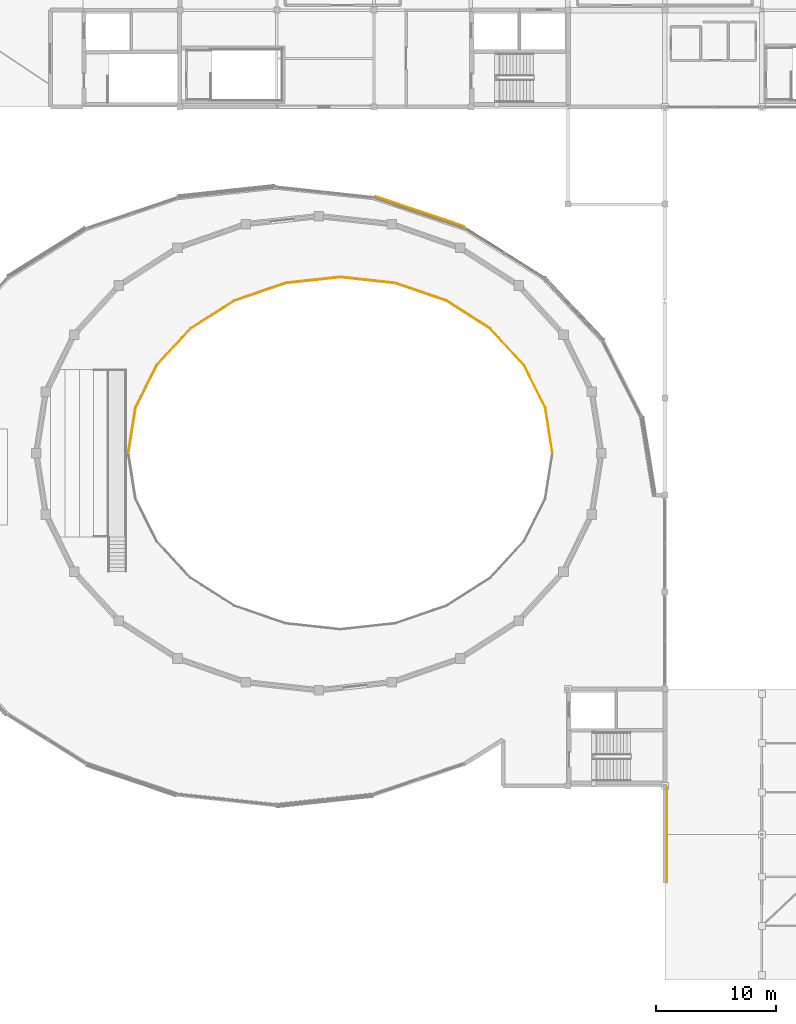
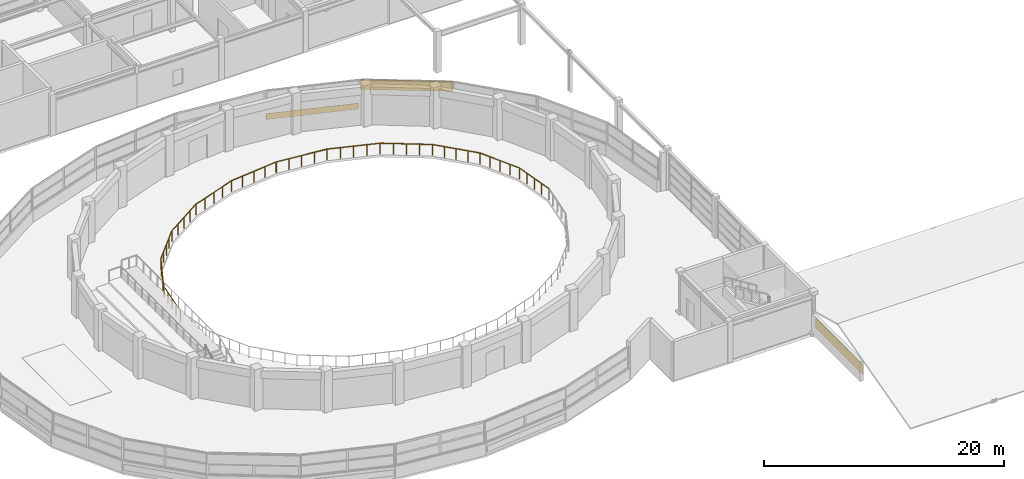
# One storey, part 48 of 54: 2 coverings, 1 railing, 1 shading device.
"""IFC4 building model written with IfcOpenShell, lengths in metres."""

import ifcopenshell
import ifcopenshell.guid

model = None  # the IFC model being written
_history = None  # IfcOwnerHistory: only IFC2X3 demands one
_inside = {}  # id of a spatial element -> (the spatial element, [elements in it])
_under = {}  # id of a project, library or spatial element -> (it, [spatial elements below it])
_declared = {}  # id of a project -> (the project, [libraries it declares])
_typed = {}  # id of a type object -> (the type object, [elements of that type])
_made_of = {}  # id of a material, layer set ... -> (it, [elements and type objects made of it])


def new_model(schema):
    """Start an empty IFC model of exactly this schema.

    Asked for "IFC4X3", IfcOpenShell would pick the latest addendum, in which some entities
    have other attributes; the version numbers below select the first issue.
    IFC2X3 requires an IfcOwnerHistory on every rooted entity: one is made here for all.
    """
    global model, _history
    if schema == "IFC4X3":
        model = ifcopenshell.file(schema_version=(4, 3, 0, 0))
    else:
        model = ifcopenshell.file(schema=schema)
    _inside.clear()
    _under.clear()
    _declared.clear()
    _typed.clear()
    _made_of.clear()
    _history = None
    if model.schema == "IFC2X3":
        org = make("IfcOrganization", Name="unknown")
        user = make(
            "IfcPersonAndOrganization",
            ThePerson=make("IfcPerson", FamilyName="unknown"),
            TheOrganization=org,
        )
        app = make(
            "IfcApplication",
            ApplicationDeveloper=org,
            Version="unknown",
            ApplicationFullName="unknown",
            ApplicationIdentifier="unknown",
        )
        _history = make(
            "IfcOwnerHistory",
            OwningUser=user,
            OwningApplication=app,
            ChangeAction="ADDED",
            CreationDate=0,
        )
    return model


def make(cls, **values):
    """One entity of the class cls with the attributes given. An attribute that is None is left unset."""
    return model.create_entity(
        cls, **{name: value for name, value in values.items() if value is not None}
    )


def rooted(cls, **values):
    """An entity with a GlobalId (a new one), such as an element, a storey or a relation."""
    return make(cls, GlobalId=ifcopenshell.guid.new(), OwnerHistory=_history, **values)


def si_unit(unit_type, name, prefix=None):
    """IfcSIUnit, for example si_unit("LENGTHUNIT", "METRE", prefix="MILLI")."""
    return make("IfcSIUnit", UnitType=unit_type, Prefix=prefix, Name=name)


def assignment(units):
    """IfcUnitAssignment: the units of a project."""
    return None if units is None else make("IfcUnitAssignment", Units=units)


def point(xyz):
    """IfcCartesianPoint."""
    return None if xyz is None else make("IfcCartesianPoint", Coordinates=xyz)


def direction(xyz):
    """IfcDirection."""
    return None if xyz is None else make("IfcDirection", DirectionRatios=xyz)


def frame(location, z_axis=None, x_axis=None):
    """IfcAxis2Placement3D, a coordinate frame: its origin and axes. An axis left out is left unset."""
    return make(
        "IfcAxis2Placement3D",
        Location=point(location),
        Axis=direction(z_axis),
        RefDirection=direction(x_axis),
    )


def frame_2d(location, x_axis=None):
    """IfcAxis2Placement2D, a coordinate frame in the plane: its origin and x axis."""
    return make(
        "IfcAxis2Placement2D", Location=point(location), RefDirection=direction(x_axis)
    )


def origin():
    """The frame at (0, 0, 0) with its axes left unset."""
    return frame((0.0, 0.0, 0.0))


def origin_2d():
    """The frame at (0, 0) in the plane with its x axis left unset."""
    return frame_2d((0.0, 0.0))


def place(relative_to, where):
    """IfcLocalPlacement: puts the frame where relative to a parent placement (None: the world)."""
    return make(
        "IfcLocalPlacement", PlacementRelTo=relative_to, RelativePlacement=where
    )


def context(
    kind, dimensions, precision=None, world=None, true_north=None, identifier=None
):
    """IfcGeometricRepresentationContext, for example the 3D "Model" context."""
    return make(
        "IfcGeometricRepresentationContext",
        ContextIdentifier=identifier,
        ContextType=kind,
        CoordinateSpaceDimension=dimensions,
        Precision=precision,
        WorldCoordinateSystem=world,
        TrueNorth=true_north,
    )


def subcontext(parent, identifier, kind, view, scale=None):
    """IfcGeometricRepresentationSubContext, for example "Body" below "Model"."""
    return make(
        "IfcGeometricRepresentationSubContext",
        ContextIdentifier=identifier,
        ContextType=kind,
        ParentContext=parent,
        TargetScale=scale,
        TargetView=view,
    )


def project(units=None, contexts=None):
    """IfcProject with its units and contexts."""
    return rooted(
        "IfcProject",
        Name="project",
        RepresentationContexts=contexts,
        UnitsInContext=assignment(units),
    )


def spatial(cls, under=None, at=None, **own):
    """A site, building, storey or space (cls), placed at a placement, below another one or the project."""
    s = rooted(cls, ObjectPlacement=at, **own)
    if under is not None:
        _under.setdefault(under.id(), (under, []))[1].append(s)
    return s


def profile(cls, at=None, kind="AREA", **sizes):
    """A parametric profile (cls). Its sizes go by their IFC names, for example OverallWidth=200.0."""
    return make(cls, ProfileType=kind, Position=at, **sizes)


def rectangle(**sizes):
    """IfcRectangleProfileDef."""
    return profile("IfcRectangleProfileDef", **sizes)


def circle(**sizes):
    """IfcCircleProfileDef."""
    return profile("IfcCircleProfileDef", **sizes)


def extrude(swept, where, along, depth):
    """IfcExtrudedAreaSolid: the profile swept, set in the frame where, extruded along a direction by depth."""
    return make(
        "IfcExtrudedAreaSolid",
        SweptArea=swept,
        Position=where,
        ExtrudedDirection=direction(along),
        Depth=depth,
    )


def shape(context_of_items, identifier, shape_type, items):
    """IfcShapeRepresentation: the items that make up one representation, for example the "Body"."""
    return make(
        "IfcShapeRepresentation",
        ContextOfItems=context_of_items,
        RepresentationIdentifier=identifier,
        RepresentationType=shape_type,
        Items=items,
    )


def material(Name=None, Category=None):
    """IfcMaterial."""
    return make("IfcMaterial", Name=Name, Category=Category)


def layer(
    of_material, thickness, ventilated=None, Name=None, Category=None, Priority=None
):
    """IfcMaterialLayer: one layer of a wall or slab, of a material (None: an air gap)."""
    return make(
        "IfcMaterialLayer",
        Material=of_material,
        LayerThickness=thickness,
        IsVentilated=ventilated,
        Name=Name,
        Category=Category,
        Priority=Priority,
    )


def layer_set(layers, Name=None):
    """IfcMaterialLayerSet."""
    return make("IfcMaterialLayerSet", MaterialLayers=layers, LayerSetName=Name)


def made_of(thing, what):
    """Note that an element or type object is made of a material, layer set ...; save() writes the relation."""
    if what is not None:
        _made_of.setdefault(what.id(), (what, []))[1].append(thing)
    return thing


def type_object(cls, material=None, **own):
    """A type object (cls), such as IfcWallType, which elements share."""
    return made_of(rooted(cls, **own), material)


def element(
    cls,
    number,
    at=None,
    inside=None,
    cuts=None,
    type_object=None,
    material=None,
    context=None,
    identifier="Body",
    shape_type=None,
    held_by="IfcProductDefinitionShape",
    body=None,
    shapes=None,
    **own,
):
    """One element of the class cls, such as IfcWall. Its Tag is "e" and its number.

    at: its placement. inside: the storey or other place that contains it. cuts: it is an
    opening in that element (IfcRelVoidsElement). A single representation is given by context,
    identifier, shape_type and body (its items); several are given by shapes. held_by: the class
    of the entity that holds the representations. save() writes the other relations.
    """
    e = rooted(cls, Tag="e%d" % number, ObjectPlacement=at, **own)
    if body is not None:
        shapes = [shape(context, identifier, shape_type, body)]
    if shapes is not None:
        e.Representation = make(held_by, Representations=shapes)
    if inside is not None:
        _inside.setdefault(inside.id(), (inside, []))[1].append(e)
    if cuts is not None:
        rooted(
            "IfcRelVoidsElement", RelatingBuildingElement=cuts, RelatedOpeningElement=e
        )
    if type_object is not None:
        _typed.setdefault(type_object.id(), (type_object, []))[1].append(e)
    return made_of(e, material)


def aggregate(whole, parts):
    """IfcRelAggregates: a whole, such as a stair, and the parts it consists of."""
    return rooted("IfcRelAggregates", RelatingObject=whole, RelatedObjects=parts)


def save(model, path):
    """Write the relations noted so far, then the file.

    IfcRelAggregates (storeys below a building ...), IfcRelContainedInSpatialStructure (elements
    in a storey), IfcRelDefinesByType, IfcRelAssociatesMaterial and IfcRelDeclares: one each for
    every whole, place, type object, material and project.
    """
    for whole, parts in _under.values():
        aggregate(whole, parts)
    for where, things in _inside.values():
        rooted(
            "IfcRelContainedInSpatialStructure",
            RelatedElements=things,
            RelatingStructure=where,
        )
    for kind, things in _typed.values():
        rooted("IfcRelDefinesByType", RelatedObjects=things, RelatingType=kind)
    for what, things in _made_of.values():
        rooted("IfcRelAssociatesMaterial", RelatedObjects=things, RelatingMaterial=what)
    for by, libraries in _declared.values():
        rooted("IfcRelDeclares", RelatingContext=by, RelatedDefinitions=libraries)
    model.write(path)


model = new_model("IFC4")

# Units and contexts
model_context = context("Model", 3, precision=1e-05, world=origin(), true_north=direction((0.0, 1.0)))
body_context = subcontext(model_context, "Body", "Model", "MODEL_VIEW")
ifc_project = project(units=[si_unit("LENGTHUNIT", "METRE"), si_unit("AREAUNIT", "SQUARE_METRE"), si_unit("VOLUMEUNIT", "CUBIC_METRE"), si_unit("PLANEANGLEUNIT", "RADIAN"), si_unit("MASSUNIT", "GRAM", prefix="KILO")], contexts=[model_context])

# Site, building, storey
site_placement = place(None, origin())
site = spatial("IfcSite", under=ifc_project, at=site_placement, CompositionType="ELEMENT")
building_placement = place(site_placement, origin())
building = spatial("IfcBuilding", under=site, at=building_placement, Name="Parian Resonance Hall", CompositionType="ELEMENT")
storey_placement = place(building_placement, frame((0.0, 0.0, 15.0)))
storey = spatial("IfcBuildingStorey", under=building, at=storey_placement, Name="L03", CompositionType="ELEMENT", Elevation=15.0)

# Coverings
ifc_material_1 = material(Name="Polychrome trencadis ceramic mosaic cladding")
ifc_layer_1 = layer(ifc_material_1, 0.030029296875)
ifc_layer_set_1 = layer_set([ifc_layer_1], Name="Polychrome trencadis ceramic mosaic cladding")
covering_type = type_object("IfcCoveringType", Name="COV-MOSAIC-CLAD", PredefinedType="CLADDING", material=ifc_layer_set_1)
covering_1_placement = place(storey_placement, frame((52.445068359375, 64.197021484375, 0.300048828125), z_axis=(0.0, 0.0, 1.0), x_axis=(0.947295858984, -0.320360040505, 0.0)))
element("IfcCovering", 1, at=covering_1_placement, inside=storey, type_object=covering_type, Name="Polychrome ceramic mosaic frieze L03-063", PredefinedType="CLADDING", context=body_context, shape_type="SweptSolid", body=[
    extrude(rectangle(XDim=7.84521484375, YDim=0.030029296875, at=origin_2d()), origin(), (0.0, 0.0, 1.0), 0.60009765625),
])
covering_2_placement = place(storey_placement, frame((73.083984375, 12.14990234375, 0.512451171875), z_axis=(0.0, 0.0, 1.0), x_axis=(0.0, -1.0, 0.0)))
element("IfcCovering", 2, at=covering_2_placement, inside=storey, type_object=covering_type, Name="Polychrome ceramic mosaic frieze L03-071", PredefinedType="CLADDING", context=body_context, shape_type="SweptSolid", body=[
    extrude(rectangle(XDim=7.89990234375, YDim=0.030029296875, at=origin_2d()), origin(), (0.0, 0.0, 1.0), 1.02490234375),
])

# Railing
ifc_material_2 = material(Name="Patinated bronze whiplash metalwork")
railing_type = type_object("IfcRailingType", Name="RAIL-HALL-BAL-1120", PredefinedType="BALUSTRADE", material=ifc_material_2)
railing_placement = place(storey_placement, frame((63.52001953125, 44.0, 0.0)))
element("IfcRailing", 3, at=railing_placement, inside=storey, type_object=railing_type, Name="Main Concert Hall L03 north-west bronze balustrade", PredefinedType="BALUSTRADE", context=body_context, shape_type="SweptSolid", body=[
    extrude(circle(Radius=0.02392578125, at=origin_2d()), frame((0.0, 0.0, 1.09619140625), z_axis=(-0.156521572439, 0.987674540201, 0.0), x_axis=(-0.987674540201, -0.156521572439, 0.0)), (0.0, 0.0, 1.0), 3.857421875),
    extrude(circle(Radius=0.02392578125, at=origin_2d()), frame((-0.603759765625, 3.809814453125, 1.09619140625), z_axis=(-0.446228679788, 0.894918971379, 0.0), x_axis=(-0.894918971379, -0.446228679788, 0.0)), (0.0, 0.0, 1.0), 3.96728515625),
    extrude(circle(Radius=0.02392578125, at=origin_2d()), frame((-2.3740234375, 7.360107421875, 1.09619140625), z_axis=(-0.678551254892, 0.734553057637, 0.0), x_axis=(-0.734553057637, -0.678551254892, 0.0)), (0.0, 0.0, 1.0), 4.150146484375),
    extrude(circle(Radius=0.02392578125, at=origin_2d()), frame((-5.190185546875, 10.40869140625, 1.09619140625), z_axis=(-0.843275508955, 0.537481549448, 0.0), x_axis=(-0.537481549448, -0.843275508955, 0.0)), (0.0, 0.0, 1.0), 4.35205078125),
    extrude(circle(Radius=0.02392578125, at=origin_2d()), frame((-8.860107421875, 12.747802734375, 1.09619140625), z_axis=(-0.945576009301, 0.325401307057, 0.0), x_axis=(-0.325401307057, -0.945576009301, 0.0)), (0.0, 0.0, 1.0), 4.519775390625),
    extrude(circle(Radius=0.02392578125, at=origin_2d()), frame((-13.1337890625, 14.218505859375, 1.09619140625), z_axis=(-0.994075176592, 0.108694725191, 0.0), x_axis=(-0.108694725191, -0.994075176592, 0.0)), (0.0, 0.0, 1.0), 4.613525390625),
    extrude(circle(Radius=0.02392578125, at=origin_2d()), frame((-17.719970703125, 14.719970703125, 1.09619140625), z_axis=(-0.994075801751, -0.108689007601, 0.0), x_axis=(0.108689007601, -0.994075801751, 0.0)), (0.0, 0.0, 1.0), 4.61376953125),
    extrude(circle(Radius=0.02392578125, at=origin_2d()), frame((-22.306396484375, 14.218505859375, 1.09619140625), z_axis=(-0.945576009301, -0.325401307057, 0.0), x_axis=(0.325401307057, -0.945576009301, 0.0)), (0.0, 0.0, 1.0), 4.519775390625),
    extrude(circle(Radius=0.02392578125, at=origin_2d()), frame((-26.580078125, 12.747802734375, 1.09619140625), z_axis=(-0.843275508955, -0.537481549448, 0.0), x_axis=(0.537481549448, -0.843275508955, 0.0)), (0.0, 0.0, 1.0), 4.35205078125),
    extrude(circle(Radius=0.02392578125, at=origin_2d()), frame((-30.25, 10.40869140625, 1.09619140625), z_axis=(-0.678519512665, -0.734582378589, 0.0), x_axis=(0.734582378589, -0.678519512665, 0.0)), (0.0, 0.0, 1.0), 4.150146484375),
    extrude(circle(Radius=0.02392578125, at=origin_2d()), frame((-33.06591796875, 7.360107421875, 1.09619140625), z_axis=(-0.446228679788, -0.894918971379, 0.0), x_axis=(0.894918971379, -0.446228679788, 0.0)), (0.0, 0.0, 1.0), 3.96728515625),
    extrude(circle(Radius=0.02392578125, at=origin_2d()), frame((-34.836181640625, 3.809814453125, 1.09619140625), z_axis=(-0.156521572439, -0.987674540201, 0.0), x_axis=(0.987674540201, -0.156521572439, 0.0)), (0.0, 0.0, 1.0), 3.857421875),
    extrude(circle(Radius=0.02099609375, at=origin_2d()), origin(), (0.0, 0.0, 1.0), 1.072021484375),
    extrude(circle(Radius=0.02099609375, at=origin_2d()), frame((-0.15087890625, 0.952392578125, 0.0)), (0.0, 0.0, 1.0), 1.072021484375),
    extrude(circle(Radius=0.02099609375, at=origin_2d()), frame((-0.3017578125, 1.90478515625, 0.0)), (0.0, 0.0, 1.0), 1.072021484375),
    extrude(circle(Radius=0.02099609375, at=origin_2d()), frame((-0.452880859375, 2.857421875, 0.0)), (0.0, 0.0, 1.0), 1.072021484375),
    extrude(circle(Radius=0.02099609375, at=origin_2d()), frame((-0.603759765625, 3.809814453125, 0.0)), (0.0, 0.0, 1.0), 1.072021484375),
    extrude(circle(Radius=0.02099609375, at=origin_2d()), frame((-1.04638671875, 4.697265625, 0.0)), (0.0, 0.0, 1.0), 1.072021484375),
    extrude(circle(Radius=0.02099609375, at=origin_2d()), frame((-1.48876953125, 5.5849609375, 0.0)), (0.0, 0.0, 1.0), 1.072021484375),
    extrude(circle(Radius=0.02099609375, at=origin_2d()), frame((-1.931396484375, 6.47265625, 0.0)), (0.0, 0.0, 1.0), 1.072021484375),
    extrude(circle(Radius=0.02099609375, at=origin_2d()), frame((-2.3740234375, 7.360107421875, 0.0)), (0.0, 0.0, 1.0), 1.072021484375),
    extrude(circle(Radius=0.02099609375, at=origin_2d()), frame((-3.078125, 8.122314453125, 0.0)), (0.0, 0.0, 1.0), 1.072021484375),
    extrude(circle(Radius=0.02099609375, at=origin_2d()), frame((-3.7822265625, 8.88427734375, 0.0)), (0.0, 0.0, 1.0), 1.072021484375),
    extrude(circle(Radius=0.02099609375, at=origin_2d()), frame((-4.486083984375, 9.646484375, 0.0)), (0.0, 0.0, 1.0), 1.072021484375),
    extrude(circle(Radius=0.02099609375, at=origin_2d()), frame((-5.190185546875, 10.40869140625, 0.0)), (0.0, 0.0, 1.0), 1.072021484375),
    extrude(circle(Radius=0.02099609375, at=origin_2d()), frame((-6.107666015625, 10.993408203125, 0.0)), (0.0, 0.0, 1.0), 1.072021484375),
    extrude(circle(Radius=0.02099609375, at=origin_2d()), frame((-7.025146484375, 11.578125, 0.0)), (0.0, 0.0, 1.0), 1.072021484375),
    extrude(circle(Radius=0.02099609375, at=origin_2d()), frame((-7.942626953125, 12.1630859375, 0.0)), (0.0, 0.0, 1.0), 1.072021484375),
    extrude(circle(Radius=0.02099609375, at=origin_2d()), frame((-8.860107421875, 12.747802734375, 0.0)), (0.0, 0.0, 1.0), 1.072021484375),
    extrude(circle(Radius=0.02099609375, at=origin_2d()), frame((-9.928466796875, 13.115478515625, 0.0)), (0.0, 0.0, 1.0), 1.072021484375),
    extrude(circle(Radius=0.02099609375, at=origin_2d()), frame((-10.9970703125, 13.483154296875, 0.0)), (0.0, 0.0, 1.0), 1.072021484375),
    extrude(circle(Radius=0.02099609375, at=origin_2d()), frame((-12.0654296875, 13.850830078125, 0.0)), (0.0, 0.0, 1.0), 1.072021484375),
    extrude(circle(Radius=0.02099609375, at=origin_2d()), frame((-13.1337890625, 14.218505859375, 0.0)), (0.0, 0.0, 1.0), 1.072021484375),
    extrude(circle(Radius=0.02099609375, at=origin_2d()), frame((-14.2802734375, 14.34375, 0.0)), (0.0, 0.0, 1.0), 1.072021484375),
    extrude(circle(Radius=0.02099609375, at=origin_2d()), frame((-15.4267578125, 14.46923828125, 0.0)), (0.0, 0.0, 1.0), 1.072021484375),
    extrude(circle(Radius=0.02099609375, at=origin_2d()), frame((-16.573486328125, 14.5947265625, 0.0)), (0.0, 0.0, 1.0), 1.072021484375),
    extrude(circle(Radius=0.02099609375, at=origin_2d()), frame((-17.719970703125, 14.719970703125, 0.0)), (0.0, 0.0, 1.0), 1.072021484375),
    extrude(circle(Radius=0.02099609375, at=origin_2d()), frame((-18.86669921875, 14.5947265625, 0.0)), (0.0, 0.0, 1.0), 1.072021484375),
    extrude(circle(Radius=0.02099609375, at=origin_2d()), frame((-20.01318359375, 14.46923828125, 0.0)), (0.0, 0.0, 1.0), 1.072021484375),
    extrude(circle(Radius=0.02099609375, at=origin_2d()), frame((-21.15966796875, 14.34375, 0.0)), (0.0, 0.0, 1.0), 1.072021484375),
    extrude(circle(Radius=0.02099609375, at=origin_2d()), frame((-22.306396484375, 14.218505859375, 0.0)), (0.0, 0.0, 1.0), 1.072021484375),
    extrude(circle(Radius=0.02099609375, at=origin_2d()), frame((-23.374755859375, 13.850830078125, 0.0)), (0.0, 0.0, 1.0), 1.072021484375),
    extrude(circle(Radius=0.02099609375, at=origin_2d()), frame((-24.443359375, 13.483154296875, 0.0)), (0.0, 0.0, 1.0), 1.072021484375),
    extrude(circle(Radius=0.02099609375, at=origin_2d()), frame((-25.51171875, 13.115478515625, 0.0)), (0.0, 0.0, 1.0), 1.072021484375),
    extrude(circle(Radius=0.02099609375, at=origin_2d()), frame((-26.580078125, 12.747802734375, 0.0)), (0.0, 0.0, 1.0), 1.072021484375),
    extrude(circle(Radius=0.02099609375, at=origin_2d()), frame((-27.49755859375, 12.1630859375, 0.0)), (0.0, 0.0, 1.0), 1.072021484375),
    extrude(circle(Radius=0.02099609375, at=origin_2d()), frame((-28.4150390625, 11.578125, 0.0)), (0.0, 0.0, 1.0), 1.072021484375),
    extrude(circle(Radius=0.02099609375, at=origin_2d()), frame((-29.33251953125, 10.993408203125, 0.0)), (0.0, 0.0, 1.0), 1.072021484375),
    extrude(circle(Radius=0.02099609375, at=origin_2d()), frame((-30.25, 10.40869140625, 0.0)), (0.0, 0.0, 1.0), 1.072021484375),
    extrude(circle(Radius=0.02099609375, at=origin_2d()), frame((-30.9541015625, 9.646484375, 0.0)), (0.0, 0.0, 1.0), 1.072021484375),
    extrude(circle(Radius=0.02099609375, at=origin_2d()), frame((-31.657958984375, 8.88427734375, 0.0)), (0.0, 0.0, 1.0), 1.072021484375),
    extrude(circle(Radius=0.02099609375, at=origin_2d()), frame((-32.36181640625, 8.122314453125, 0.0)), (0.0, 0.0, 1.0), 1.072021484375),
    extrude(circle(Radius=0.02099609375, at=origin_2d()), frame((-33.06591796875, 7.360107421875, 0.0)), (0.0, 0.0, 1.0), 1.072021484375),
    extrude(circle(Radius=0.02099609375, at=origin_2d()), frame((-33.508544921875, 6.47265625, 0.0)), (0.0, 0.0, 1.0), 1.072021484375),
    extrude(circle(Radius=0.02099609375, at=origin_2d()), frame((-33.951171875, 5.5849609375, 0.0)), (0.0, 0.0, 1.0), 1.072021484375),
    extrude(circle(Radius=0.02099609375, at=origin_2d()), frame((-34.3935546875, 4.697265625, 0.0)), (0.0, 0.0, 1.0), 1.072021484375),
    extrude(circle(Radius=0.02099609375, at=origin_2d()), frame((-34.836181640625, 3.809814453125, 0.0)), (0.0, 0.0, 1.0), 1.072021484375),
    extrude(circle(Radius=0.02099609375, at=origin_2d()), frame((-34.987060546875, 2.857421875, 0.0)), (0.0, 0.0, 1.0), 1.072021484375),
    extrude(circle(Radius=0.02099609375, at=origin_2d()), frame((-35.13818359375, 1.90478515625, 0.0)), (0.0, 0.0, 1.0), 1.072021484375),
    extrude(circle(Radius=0.02099609375, at=origin_2d()), frame((-35.2890625, 0.952392578125, 0.0)), (0.0, 0.0, 1.0), 1.072021484375),
    extrude(circle(Radius=0.02099609375, at=origin_2d()), frame((-35.43994140625, 0.0, 0.0)), (0.0, 0.0, 1.0), 1.072021484375),
])

# Shading device
ifc_material_3 = material(Name="Patinated bronze persiana louver")
ifc_layer_2 = layer(ifc_material_3, 0.080078125)
ifc_layer_set_2 = layer_set([ifc_layer_2], Name="Patinated bronze persiana louver")
shading_device_type = type_object("IfcShadingDeviceType", Name="SHD-PERSIANA-JAL", PredefinedType="JALOUSIE", material=ifc_layer_set_2)
shading_device_placement = place(storey_placement, frame((59.5107421875, 60.7548828125, 2.35986328125), z_axis=(0.0, 0.0, 1.0), x_axis=(0.847431550903, -0.530904668029, 0.0)))
element("IfcShadingDevice", 4, at=shading_device_placement, inside=storey, type_object=shading_device_type, Name="Bronze persiana storm jalousie L03-002", PredefinedType="JALOUSIE", context=body_context, shape_type="SweptSolid", body=[
    extrude(rectangle(XDim=7.722900390625, YDim=0.080078125, at=origin_2d()), origin(), (0.0, 0.0, 1.0), 0.989990234375),
])

save(model, "model.ifc")
